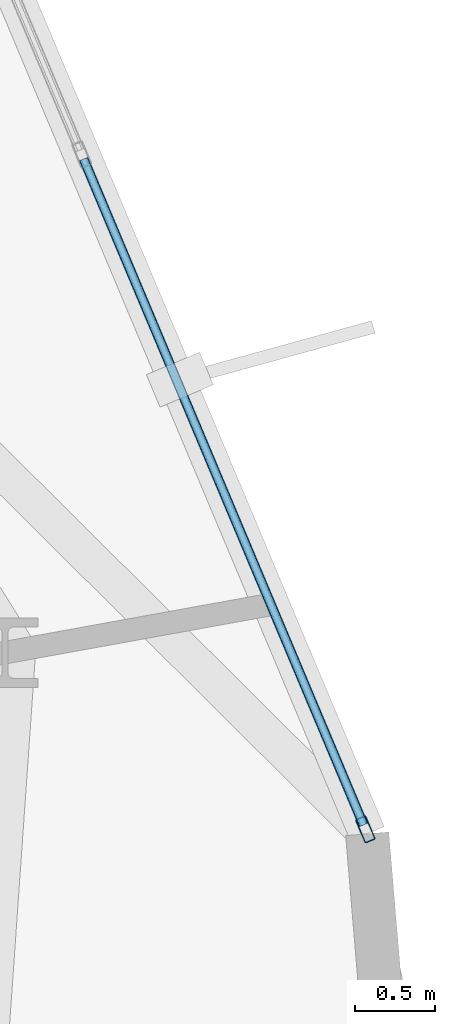
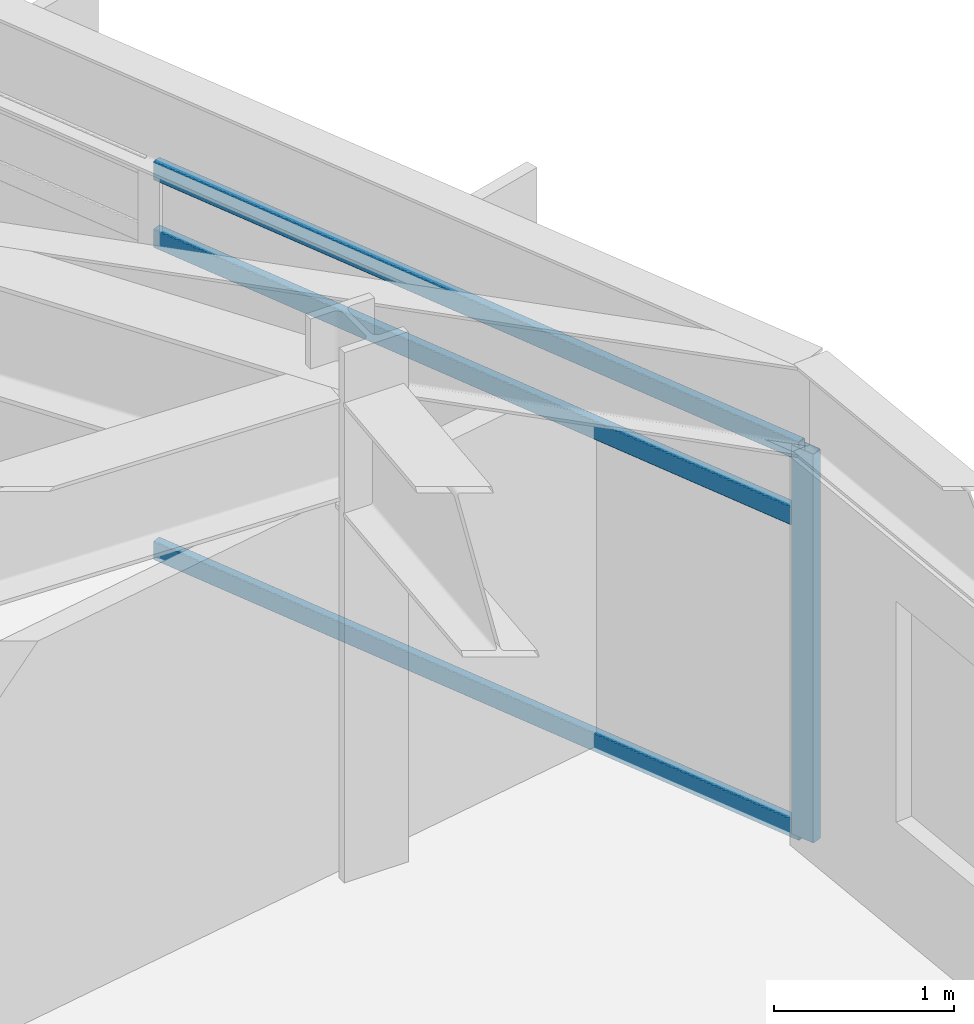
# One storey, part 12 of 27: 4 members, 1 element without a shape of its own.
"""IFC4 building model written with IfcOpenShell, lengths in metres."""

from ifc_helpers import new_model, si_unit, direction, frame, origin, origin_2d, place, context, subcontext, project, spatial, hollow_rectangle, extrude, material, layer, layer_set, material_profile, profile_set, type_object, element, aggregate, save


model = new_model("IFC4")

# Units and contexts
model_context = context("Model", 3, precision=1e-05, world=origin(), true_north=direction((0.0, 1.0)))
body_context = subcontext(model_context, "Body", "Model", "MODEL_VIEW")
ifc_project = project(units=[si_unit("LENGTHUNIT", "METRE"), si_unit("AREAUNIT", "SQUARE_METRE"), si_unit("VOLUMEUNIT", "CUBIC_METRE"), si_unit("PLANEANGLEUNIT", "RADIAN"), si_unit("MASSUNIT", "GRAM", prefix="KILO")], contexts=[model_context])

# Site, building, storey
site_placement = place(None, origin())
site = spatial("IfcSite", under=ifc_project, at=site_placement, CompositionType="ELEMENT")
building_placement = place(site_placement, origin())
building = spatial("IfcBuilding", under=site, at=building_placement, Name="Soratama Intermodal Tower", CompositionType="ELEMENT")
storey_placement = place(building_placement, frame((0.0, 0.0, 182.199951171875)))
storey = spatial("IfcBuildingStorey", under=building, at=storey_placement, Name="L45", CompositionType="ELEMENT", Elevation=182.199951171875)

# Curtain wall, members
ifc_material_1 = material(Name="Double-glazed aluminium curtain wall", Category="aluminium")
ifc_layer = layer(ifc_material_1, 0.159912109375)
ifc_layer_set = layer_set([ifc_layer], Name="Double-glazed aluminium curtain wall")
curtain_wall_type = type_object("IfcCurtainWallType", Name="CW-SYS-4", PredefinedType="NOTDEFINED", material=ifc_layer_set)
curtain_wall_placement = place(storey_placement, origin())
curtain_wall = element("IfcCurtainWall", 1, at=curtain_wall_placement, inside=storey, type_object=curtain_wall_type, Name="L45 Faceted Curtain Wall F10", PredefinedType="NOTDEFINED")
ifc_material_2 = material(Name="Anodised aluminium AA 6063-T6", Category="aluminium")
ifc_material_profile_1 = material_profile(ifc_material_2, hollow_rectangle(XDim=0.070068359375, YDim=0.159912109375, WallThickness=0.0048828125, InnerFilletRadius=0.0048828125, OuterFilletRadius=0.010009765625, at=origin_2d()), Name="CWM160X70X5")
ifc_profile_set_1 = profile_set([ifc_material_profile_1], Name="Anodised aluminium AA 6063-T6")
member_type_1 = type_object("IfcMemberType", Name="MT-CWM-4", PredefinedType="MULLION", material=ifc_profile_set_1)
member_1_placement = place(storey_placement, frame((64.227783203125, 28.1318359375, 0.0), z_axis=(0.0, 0.0, 1.0), x_axis=(-0.921860983025, -0.387520745221, 0.0)))
member_1 = element("IfcMember", 2, at=member_1_placement, type_object=member_type_1, Name="CW-4 mullion 1", PredefinedType="MULLION", context=body_context, shape_type="SweptSolid", body=[
    extrude(hollow_rectangle(XDim=0.070068359375, YDim=0.159912109375, WallThickness=0.0048828125, InnerFilletRadius=0.0048828125, OuterFilletRadius=0.010009765625, at=origin_2d()), origin(), (0.0, 0.0, 1.0), 2.63916015625),
])
ifc_material_3 = material(Name="Anodised aluminium AA 6063-T6", Category="aluminium")
ifc_material_profile_2 = material_profile(ifc_material_3, hollow_rectangle(XDim=0.06005859375, YDim=0.1298828125, WallThickness=0.0048828125, InnerFilletRadius=0.0048828125, OuterFilletRadius=0.010009765625, at=origin_2d()), Name="CWT130X60X5")
ifc_profile_set_2 = profile_set([ifc_material_profile_2], Name="Anodised aluminium AA 6063-T6")
member_type_2 = type_object("IfcMemberType", Name="TT-CWT-2", PredefinedType="USERDEFINED", material=ifc_profile_set_2)
member_2_placement = place(storey_placement, frame((64.21630859375, 28.159423828125, 0.030029296875), z_axis=(-0.387511693412, 0.921864788062, 0.0), x_axis=(-0.921864788062, -0.387511693412, 0.0)))
member_2 = element("IfcMember", 3, at=member_2_placement, type_object=member_type_2, Name="CW-4 transom 1.1", ObjectType="TRANSOM", PredefinedType="USERDEFINED", context=body_context, shape_type="SweptSolid", body=[
    extrude(hollow_rectangle(XDim=0.06005859375, YDim=0.1298828125, WallThickness=0.0048828125, InnerFilletRadius=0.0048828125, OuterFilletRadius=0.010009765625, at=origin_2d()), origin(), (0.0, 0.0, 1.0), 4.50390625),
])
member_3_placement = place(storey_placement, frame((64.21630859375, 28.159423828125, 2.150146484375), z_axis=(-0.387511693412, 0.921864788062, 0.0), x_axis=(-0.921864788062, -0.387511693412, 0.0)))
member_3 = element("IfcMember", 4, at=member_3_placement, type_object=member_type_2, Name="CW-4 transom 1.2", ObjectType="TRANSOM", PredefinedType="USERDEFINED", context=body_context, shape_type="SweptSolid", body=[
    extrude(hollow_rectangle(XDim=0.06005859375, YDim=0.1298828125, WallThickness=0.0048828125, InnerFilletRadius=0.0048828125, OuterFilletRadius=0.010009765625, at=origin_2d()), origin(), (0.0, 0.0, 1.0), 4.50390625),
])
member_4_placement = place(storey_placement, frame((64.21630859375, 28.159423828125, 2.609130859375), z_axis=(-0.387511693412, 0.921864788062, 0.0), x_axis=(-0.921864788062, -0.387511693412, 0.0)))
member_4 = element("IfcMember", 5, at=member_4_placement, type_object=member_type_2, Name="CW-4 transom 1.3", ObjectType="TRANSOM", PredefinedType="USERDEFINED", context=body_context, shape_type="SweptSolid", body=[
    extrude(hollow_rectangle(XDim=0.06005859375, YDim=0.1298828125, WallThickness=0.0048828125, InnerFilletRadius=0.0048828125, OuterFilletRadius=0.010009765625, at=origin_2d()), origin(), (0.0, 0.0, 1.0), 4.50390625),
])
aggregate(curtain_wall, [member_1, member_2, member_3, member_4])

save(model, "model.ifc")
